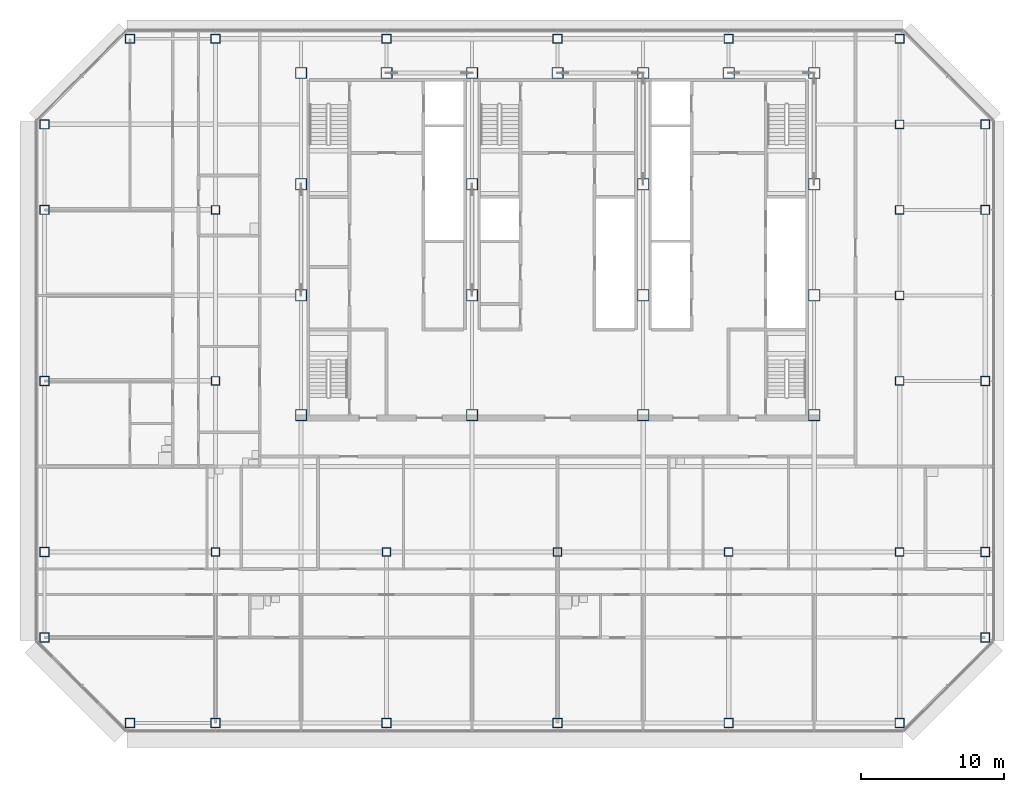
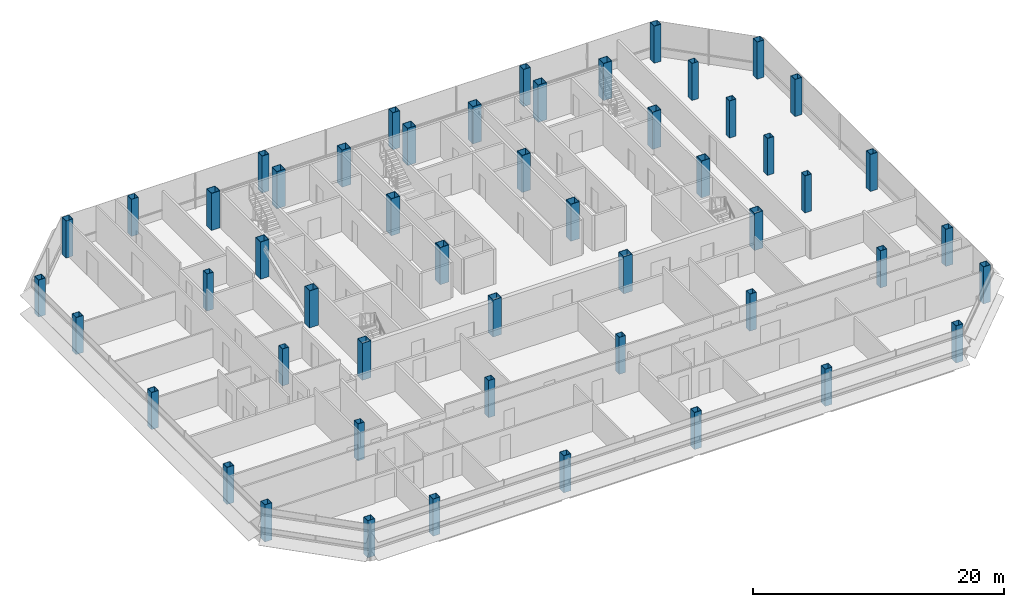
# One storey, part 1 of 26: 52 columns.
"""IFC4 building model written with IfcOpenShell, lengths in metres."""

from ifc_helpers import new_model, si_unit, direction, frame, origin, origin_2d, place, context, subcontext, project, spatial, hollow_rectangle, extrude, material, material_profile, profile_set, type_object, element, save


model = new_model("IFC4")

# Units and contexts
model_context = context("Model", 3, precision=1e-05, world=origin(), true_north=direction((0.0, 1.0)))
body_context = subcontext(model_context, "Body", "Model", "MODEL_VIEW")
ifc_project = project(units=[si_unit("LENGTHUNIT", "METRE"), si_unit("AREAUNIT", "SQUARE_METRE"), si_unit("VOLUMEUNIT", "CUBIC_METRE"), si_unit("PLANEANGLEUNIT", "RADIAN"), si_unit("MASSUNIT", "GRAM", prefix="KILO")], contexts=[model_context])

# Site, building, storey
site_placement = place(None, origin())
site = spatial("IfcSite", under=ifc_project, at=site_placement, CompositionType="ELEMENT")
building_placement = place(site_placement, origin())
building = spatial("IfcBuilding", under=site, at=building_placement, Name="Sorahane Residences", CompositionType="ELEMENT")
storey_placement = place(building_placement, frame((0.0, 0.0, 222.60009765625)))
storey = spatial("IfcBuildingStorey", under=building, at=storey_placement, Name="L52", CompositionType="ELEMENT", Elevation=222.60009765625)

# Columns
ifc_material_1 = material(Name="Steel Q355B", Category="steel")
ifc_material_profile_1 = material_profile(ifc_material_1, hollow_rectangle(XDim=0.60009765625, YDim=0.60009765625, WallThickness=0.028076171875, at=origin_2d()), Name="BOX 600x600x28")
ifc_profile_set_1 = profile_set([ifc_material_profile_1], Name="Steel Q355B")
column_type_1 = type_object("IfcColumnType", Name="Steel box column BOX 600x600x28 Q355B", PredefinedType="COLUMN", material=ifc_profile_set_1)
for number, where, z_axis, x_axis, name in (
    (1, (0.0, 12.0, 0.0), (0.0, 0.0, 1.0), (1.0, 0.0, 0.0), "Column L52 0/12"),
    (2, (0.0, 24.0, 0.0), (0.0, 0.0, 1.0), (1.0, 0.0, 0.0), "Column L52 0/24"),
    (3, (0.0, 36.0, 0.0), (0.0, 0.0, 1.0), (1.0, 0.0, 0.0), "Column L52 0/36"),
    (4, (12.0, 12.0, 0.0), (0.0, 0.0, 1.0), (1.0, 0.0, 0.0), "Column L52 12/12"),
    (5, (24.0, 12.0, 0.0), (0.0, 0.0, 1.0), (1.0, 0.0, 0.0), "Column L52 24/12"),
    (6, (36.0, 12.0, 0.0), (0.0, 0.0, 1.0), (1.0, 0.0, 0.0), "Column L52 36/12"),
    (7, (48.0, 12.0, 0.0), (0.0, 0.0, 1.0), (1.0, 0.0, 0.0), "Column L52 48/12"),
    (8, (48.0, 24.0, 0.0), (0.0, 0.0, 1.0), (1.0, 0.0, 0.0), "Column L52 48/24"),
    (9, (48.0, 30.0, 0.0), (0.0, 0.0, 1.0), (1.0, 0.0, 0.0), "Column L52 48/30"),
    (10, (48.0, 36.0, 0.0), (0.0, 0.0, 1.0), (1.0, 0.0, 0.0), "Column L52 48/36"),
    (11, (48.0, 42.0, 0.0), (0.0, 0.0, 1.0), (1.0, 0.0, 0.0), "Column L52 48/42"),
):
    element("IfcColumn", number, at=place(storey_placement, frame(where, z_axis=z_axis, x_axis=x_axis)), inside=storey, type_object=column_type_1, Name=name, PredefinedType="COLUMN", context=body_context, shape_type="SweptSolid", body=[
        extrude(hollow_rectangle(XDim=0.60009765625, YDim=0.60009765625, WallThickness=0.028076171875, at=origin_2d()), origin(), (0.0, 0.0, 1.0), 3.599853515625),
    ])
ifc_material_2 = material(Name="Steel Q355B", Category="steel")
ifc_material_profile_2 = material_profile(ifc_material_2, hollow_rectangle(XDim=0.64990234375, YDim=0.64990234375, WallThickness=0.031982421875, at=origin_2d()), Name="BOX 650x650x32")
ifc_profile_set_2 = profile_set([ifc_material_profile_2], Name="Steel Q355B")
column_type_2 = type_object("IfcColumnType", Name="Steel box column BOX 650x650x32 Q355B", PredefinedType="COLUMN", material=ifc_profile_set_2)
for number, where, z_axis, x_axis, name in (
    (12, (-12.0, 6.0, 0.0), (0.0, 0.0, 1.0), (1.0, 0.0, 0.0), "Column L52 m12/6"),
    (13, (-12.0, 12.0, 0.0), (0.0, 0.0, 1.0), (1.0, 0.0, 0.0), "Column L52 m12/12"),
    (14, (-12.0, 24.0, 0.0), (0.0, 0.0, 1.0), (1.0, 0.0, 0.0), "Column L52 m12/24"),
    (15, (-12.0, 36.0, 0.0), (0.0, 0.0, 1.0), (1.0, 0.0, 0.0), "Column L52 m12/36"),
    (16, (-12.0, 42.0, 0.0), (0.0, 0.0, 1.0), (1.0, 0.0, 0.0), "Column L52 m12/42"),
    (17, (-6.0, 0.0, 0.0), (0.0, 0.0, 1.0), (1.0, 0.0, 0.0), "Column L52 m6/0"),
    (18, (-6.0, 48.0, 0.0), (0.0, 0.0, 1.0), (1.0, 0.0, 0.0), "Column L52 m6/48"),
    (19, (0.0, 0.0, 0.0), (0.0, 0.0, 1.0), (1.0, 0.0, 0.0), "Column L52 0/0"),
    (20, (0.0, 48.0, 0.0), (0.0, 0.0, 1.0), (1.0, 0.0, 0.0), "Column L52 0/48"),
    (21, (12.0, 0.0, 0.0), (0.0, 0.0, 1.0), (1.0, 0.0, 0.0), "Column L52 12/0"),
    (22, (12.0, 48.0, 0.0), (0.0, 0.0, 1.0), (1.0, 0.0, 0.0), "Column L52 12/48"),
    (23, (24.0, 0.0, 0.0), (0.0, 0.0, 1.0), (1.0, 0.0, 0.0), "Column L52 24/0"),
    (24, (24.0, 48.0, 0.0), (0.0, 0.0, 1.0), (1.0, 0.0, 0.0), "Column L52 24/48"),
    (25, (36.0, 0.0, 0.0), (0.0, 0.0, 1.0), (1.0, 0.0, 0.0), "Column L52 36/0"),
    (26, (36.0, 48.0, 0.0), (0.0, 0.0, 1.0), (1.0, 0.0, 0.0), "Column L52 36/48"),
    (27, (48.0, 0.0, 0.0), (0.0, 0.0, 1.0), (1.0, 0.0, 0.0), "Column L52 48/0"),
    (28, (48.0, 48.0, 0.0), (0.0, 0.0, 1.0), (1.0, 0.0, 0.0), "Column L52 48/48"),
    (29, (54.0, 6.0, 0.0), (0.0, 0.0, 1.0), (1.0, 0.0, 0.0), "Column L52 54/6"),
    (30, (54.0, 12.0, 0.0), (0.0, 0.0, 1.0), (1.0, 0.0, 0.0), "Column L52 54/12"),
    (31, (54.0, 24.0, 0.0), (0.0, 0.0, 1.0), (1.0, 0.0, 0.0), "Column L52 54/24"),
    (32, (54.0, 36.0, 0.0), (0.0, 0.0, 1.0), (1.0, 0.0, 0.0), "Column L52 54/36"),
    (33, (54.0, 42.0, 0.0), (0.0, 0.0, 1.0), (1.0, 0.0, 0.0), "Column L52 54/42"),
):
    element("IfcColumn", number, at=place(storey_placement, frame(where, z_axis=z_axis, x_axis=x_axis)), inside=storey, type_object=column_type_2, Name=name, PredefinedType="COLUMN", context=body_context, shape_type="SweptSolid", body=[
        extrude(hollow_rectangle(XDim=0.64990234375, YDim=0.64990234375, WallThickness=0.031982421875, at=origin_2d()), origin(), (0.0, 0.0, 1.0), 3.599853515625),
    ])
ifc_material_3 = material(Name="Steel Q355B", Category="steel")
ifc_material_profile_3 = material_profile(ifc_material_3, hollow_rectangle(XDim=0.800048828125, YDim=0.800048828125, WallThickness=0.0400390625, at=origin_2d()), Name="BOX 800x800x40")
ifc_profile_set_3 = profile_set([ifc_material_profile_3], Name="Steel Q355B")
column_type_3 = type_object("IfcColumnType", Name="Steel box column BOX 800x800x40 Q355B", PredefinedType="COLUMN", material=ifc_profile_set_3)
for number, where, z_axis, x_axis, name in (
    (34, (6.0, 21.60009765625, 0.0), (0.0, 0.0, 1.0), (1.0, 0.0, 0.0), "Column L52 6/21.6"),
    (35, (6.0, 30.0, 0.0), (0.0, 0.0, 1.0), (1.0, 0.0, 0.0), "Column L52 6/30"),
    (36, (6.0, 37.800048828125, 0.0), (0.0, 0.0, 1.0), (1.0, 0.0, 0.0), "Column L52 6/37.8"),
    (37, (6.0, 45.60009765625, 0.0), (0.0, 0.0, 1.0), (1.0, 0.0, 0.0), "Column L52 6/45.6"),
    (38, (12.0, 45.60009765625, 0.0), (0.0, 0.0, 1.0), (1.0, 0.0, 0.0), "Column L52 12/45.6"),
    (39, (18.0, 21.60009765625, 0.0), (0.0, 0.0, 1.0), (1.0, 0.0, 0.0), "Column L52 18/21.6"),
    (40, (18.0, 30.0, 0.0), (0.0, 0.0, 1.0), (1.0, 0.0, 0.0), "Column L52 18/30"),
    (41, (18.0, 37.800048828125, 0.0), (0.0, 0.0, 1.0), (1.0, 0.0, 0.0), "Column L52 18/37.8"),
    (42, (18.0, 45.60009765625, 0.0), (0.0, 0.0, 1.0), (1.0, 0.0, 0.0), "Column L52 18/45.6"),
    (43, (24.0, 45.60009765625, 0.0), (0.0, 0.0, 1.0), (1.0, 0.0, 0.0), "Column L52 24/45.6"),
    (44, (30.0, 21.60009765625, 0.0), (0.0, 0.0, 1.0), (1.0, 0.0, 0.0), "Column L52 30/21.6"),
    (45, (30.0, 30.0, 0.0), (0.0, 0.0, 1.0), (1.0, 0.0, 0.0), "Column L52 30/30"),
    (46, (30.0, 37.800048828125, 0.0), (0.0, 0.0, 1.0), (1.0, 0.0, 0.0), "Column L52 30/37.8"),
    (47, (30.0, 45.60009765625, 0.0), (0.0, 0.0, 1.0), (1.0, 0.0, 0.0), "Column L52 30/45.6"),
    (48, (36.0, 45.60009765625, 0.0), (0.0, 0.0, 1.0), (1.0, 0.0, 0.0), "Column L52 36/45.6"),
    (49, (42.0, 21.60009765625, 0.0), (0.0, 0.0, 1.0), (1.0, 0.0, 0.0), "Column L52 42/21.6"),
    (50, (42.0, 30.0, 0.0), (0.0, 0.0, 1.0), (1.0, 0.0, 0.0), "Column L52 42/30"),
    (51, (42.0, 37.800048828125, 0.0), (0.0, 0.0, 1.0), (1.0, 0.0, 0.0), "Column L52 42/37.8"),
    (52, (42.0, 45.60009765625, 0.0), (0.0, 0.0, 1.0), (1.0, 0.0, 0.0), "Column L52 42/45.6"),
):
    element("IfcColumn", number, at=place(storey_placement, frame(where, z_axis=z_axis, x_axis=x_axis)), inside=storey, type_object=column_type_3, Name=name, PredefinedType="COLUMN", context=body_context, shape_type="SweptSolid", body=[
        extrude(hollow_rectangle(XDim=0.800048828125, YDim=0.800048828125, WallThickness=0.0400390625, at=origin_2d()), origin(), (0.0, 0.0, 1.0), 3.599853515625),
    ])

save(model, "model.ifc")
